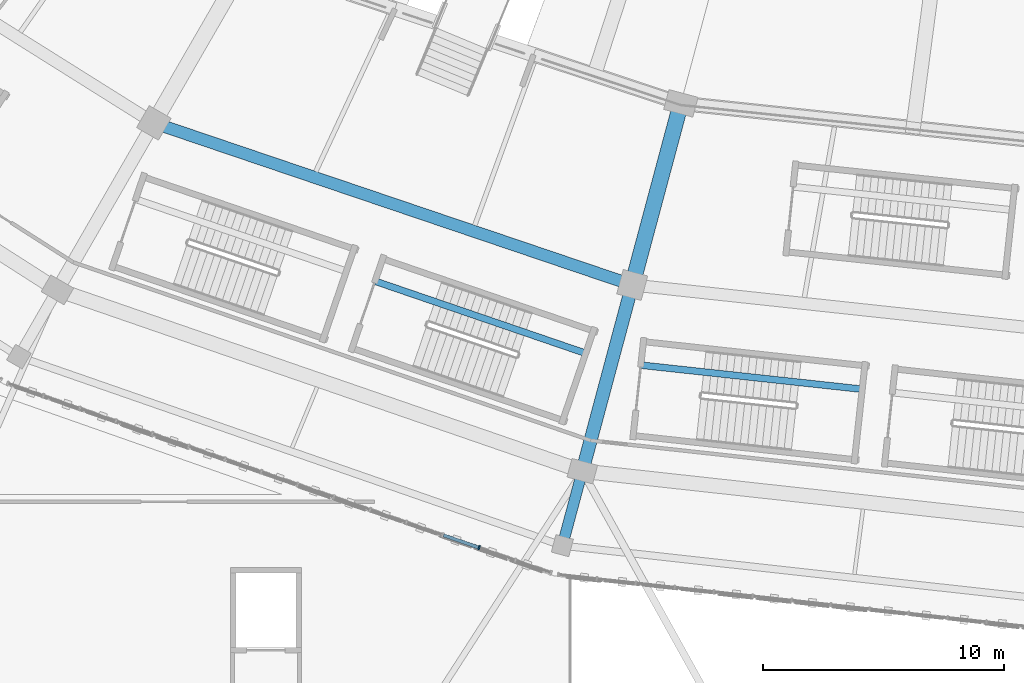
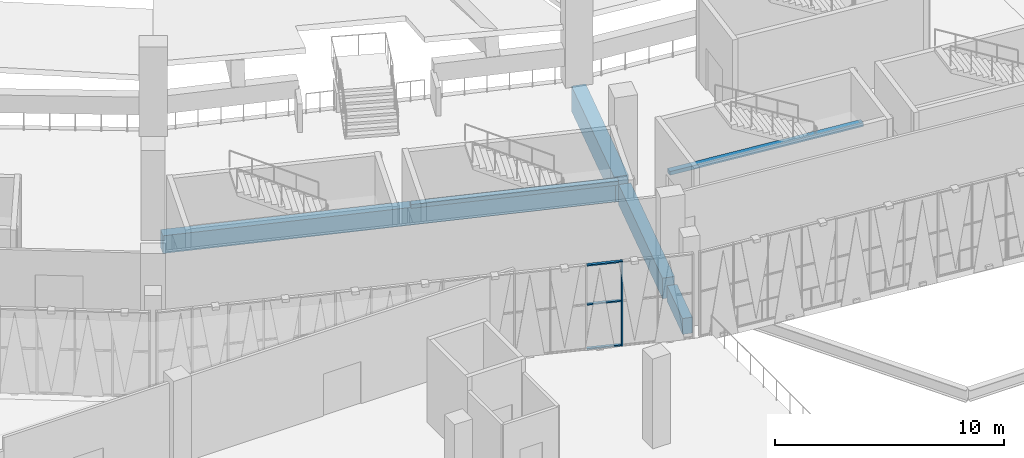
# One storey, part 15 of 183: 6 beams, 4 members, 1 element without a shape of its own.
"""IFC4 building model written with IfcOpenShell, lengths in metres."""

from ifc_helpers import new_model, si_unit, direction, frame, origin, origin_2d, place, context, subcontext, project, spatial, rectangle, extrude, material, material_profile, profile_set, type_object, element, aggregate, save


model = new_model("IFC4")

# Units and contexts
model_context = context("Model", 3, precision=1e-05, world=origin(), true_north=direction((0.0, 1.0)))
body_context = subcontext(model_context, "Body", "Model", "MODEL_VIEW")
ifc_project = project(units=[si_unit("LENGTHUNIT", "METRE"), si_unit("AREAUNIT", "SQUARE_METRE"), si_unit("VOLUMEUNIT", "CUBIC_METRE"), si_unit("PLANEANGLEUNIT", "RADIAN"), si_unit("MASSUNIT", "GRAM", prefix="KILO")], contexts=[model_context])

# Site, building, storey
site_placement = place(None, origin())
site = spatial("IfcSite", under=ifc_project, at=site_placement, CompositionType="ELEMENT")
building_placement = place(site_placement, origin())
building = spatial("IfcBuilding", under=site, at=building_placement, Name="Zevraka Park Crest Stadium", CompositionType="ELEMENT")
storey_placement = place(building_placement, frame((0.0, 0.0, 5.39990234375)))
storey = spatial("IfcBuildingStorey", under=building, at=storey_placement, Name="L01", CompositionType="ELEMENT", Elevation=5.39990234375)

# Beams
ifc_material_1 = material(Name="Concrete C40/50", Category="concrete")
ifc_material_profile_1 = material_profile(ifc_material_1, rectangle(XDim=0.64990234375, YDim=1.35009765625, at=origin_2d()), Name="RC 1350x650")
ifc_profile_set_1 = profile_set([ifc_material_profile_1], Name="Concrete C40/50")
beam_type_1 = type_object("IfcBeamType", Name="BG01", PredefinedType="BEAM", material=ifc_profile_set_1)
beam_1_placement = place(storey_placement, frame((92.639892578125, 34.237060546875, -0.684814453125), z_axis=(-0.258747385792, -0.965945024495, 0.0), x_axis=(0.965945024495, -0.258747385792, 0.0)))
element("IfcBeam", 1, at=beam_1_placement, inside=storey, type_object=beam_type_1, Name="Radial Girder BG01 L01-BC-17", PredefinedType="BEAM", context=body_context, shape_type="SweptSolid", body=[
    extrude(rectangle(XDim=0.64990234375, YDim=1.35009765625, at=origin_2d()), origin(), (0.0, 0.0, 1.0), 7.19921875),
])
ifc_material_2 = material(Name="Concrete C40/50", Category="concrete")
ifc_material_profile_2 = material_profile(ifc_material_2, rectangle(XDim=0.550048828125, YDim=1.10009765625, at=origin_2d()), Name="RC 1100x550")
ifc_profile_set_2 = profile_set([ifc_material_profile_2], Name="Concrete C40/50")
beam_type_2 = type_object("IfcBeamType", Name="BG02", PredefinedType="BEAM", material=ifc_profile_set_2)
beam_2_placement = place(storey_placement, frame((90.62109375, 26.702880859375, -0.559814453125), z_axis=(-0.258697599806, -0.965958359276, 0.0), x_axis=(0.965958359276, -0.258697599806, 0.0)))
element("IfcBeam", 2, at=beam_2_placement, inside=storey, type_object=beam_type_2, Name="Radial Girder BG02 L01-CD-17", PredefinedType="BEAM", context=body_context, shape_type="SweptSolid", body=[
    extrude(rectangle(XDim=0.550048828125, YDim=1.10009765625, at=origin_2d()), origin(), (0.0, 0.0, 1.0), 7.39892578125),
])
ifc_material_3 = material(Name="Concrete C40/50", Category="concrete")
ifc_material_profile_3 = material_profile(ifc_material_3, rectangle(XDim=0.449951171875, YDim=0.85009765625, at=origin_2d()), Name="RC 850x450")
ifc_profile_set_3 = profile_set([ifc_material_profile_3], Name="Concrete C40/50")
beam_type_3 = type_object("IfcBeamType", Name="BG03", PredefinedType="BEAM", material=ifc_profile_set_3)
beam_3_placement = place(storey_placement, frame((88.551025390625, 18.97607421875, -0.434814453125), z_axis=(-0.258919157159, -0.965898995784, 0.0), x_axis=(0.965898995784, -0.258919157159, 0.0)))
element("IfcBeam", 3, at=beam_3_placement, inside=storey, type_object=beam_type_3, Name="Radial Girder BG03 L01-DE-17", PredefinedType="BEAM", context=body_context, shape_type="SweptSolid", body=[
    extrude(rectangle(XDim=0.449951171875, YDim=0.85009765625, at=origin_2d()), origin(), (0.0, 0.0, 1.0), 2.599609375),
])

# Curtain wall, members
ifc_material_4 = material(Name="Anodised architectural aluminium and laminated safety glass", Category="aluminium")
curtain_wall_type = type_object("IfcCurtainWallType", Name="CW02", PredefinedType="NOTDEFINED", material=ifc_material_4)
curtain_wall_placement = place(storey_placement, origin())
curtain_wall = element("IfcCurtainWall", 4, at=curtain_wall_placement, inside=storey, type_object=curtain_wall_type, Name="Unitised Ring Curtain Wall CW02 L01-16", PredefinedType="NOTDEFINED")
ifc_material_5 = material(Name="Anodised architectural aluminium", Category="aluminium")
ifc_material_profile_4 = material_profile(ifc_material_5, rectangle(XDim=0.179931640625, YDim=0.06494140625, at=origin_2d()), Name="ALU MULLION 180x65")
ifc_profile_set_4 = profile_set([ifc_material_profile_4], Name="Anodised architectural aluminium")
member_type_1 = type_object("IfcMemberType", Name="CM02", PredefinedType="MULLION", material=ifc_profile_set_4)
member_1_placement = place(storey_placement, frame((84.3447265625, 16.091552734375, 0.0), z_axis=(0.0, 0.0, 1.0), x_axis=(0.329209289879, 0.944256979565, 0.0)))
member_1 = element("IfcMember", 5, at=member_1_placement, type_object=member_type_1, Name="CW02 mullion 14", PredefinedType="MULLION", context=body_context, shape_type="SweptSolid", body=[
    extrude(rectangle(XDim=0.179931640625, YDim=0.06494140625, at=origin_2d()), origin(), (0.0, 0.0, 1.0), 4.52001953125),
])
ifc_material_6 = material(Name="Anodised architectural aluminium", Category="aluminium")
ifc_material_profile_5 = material_profile(ifc_material_6, rectangle(XDim=0.139892578125, YDim=0.06494140625, at=origin_2d()), Name="ALU TRANSOM 140x65")
ifc_profile_set_5 = profile_set([ifc_material_profile_5], Name="Anodised architectural aluminium")
member_type_2 = type_object("IfcMemberType", Name="CT02", PredefinedType="USERDEFINED", material=ifc_profile_set_5)
member_2_placement = place(storey_placement, frame((82.868896484375, 16.606201171875, 0.03271484375), z_axis=(0.944255540278, -0.329213418097, 0.0), x_axis=(0.329213418097, 0.944255540278, 0.0)))
member_2 = element("IfcMember", 6, at=member_2_placement, type_object=member_type_2, Name="CW02 transom 13.1", ObjectType="TRANSOM", PredefinedType="USERDEFINED", context=body_context, shape_type="SweptSolid", body=[
    extrude(rectangle(XDim=0.139892578125, YDim=0.06494140625, at=origin_2d()), origin(), (0.0, 0.0, 1.0), 1.530517578125),
])
member_3_placement = place(storey_placement, frame((82.868896484375, 16.606201171875, 2.400146484375), z_axis=(0.944255540278, -0.329213418097, 0.0), x_axis=(0.329213418097, 0.944255540278, 0.0)))
member_3 = element("IfcMember", 7, at=member_3_placement, type_object=member_type_2, Name="CW02 transom 13.2", ObjectType="TRANSOM", PredefinedType="USERDEFINED", context=body_context, shape_type="SweptSolid", body=[
    extrude(rectangle(XDim=0.139892578125, YDim=0.06494140625, at=origin_2d()), origin(), (0.0, 0.0, 1.0), 1.530517578125),
])
member_4_placement = place(storey_placement, frame((82.868896484375, 16.606201171875, 4.487548828125), z_axis=(0.944255540278, -0.329213418097, 0.0), x_axis=(0.329213418097, 0.944255540278, 0.0)))
member_4 = element("IfcMember", 8, at=member_4_placement, type_object=member_type_2, Name="CW02 transom 13.3", ObjectType="TRANSOM", PredefinedType="USERDEFINED", context=body_context, shape_type="SweptSolid", body=[
    extrude(rectangle(XDim=0.139892578125, YDim=0.06494140625, at=origin_2d()), origin(), (0.0, 0.0, 1.0), 1.530517578125),
])
aggregate(curtain_wall, [member_1, member_2, member_3, member_4])

# Beams
ifc_material_7 = material(Name="Concrete C40/50", Category="concrete")
ifc_material_profile_6 = material_profile(ifc_material_7, rectangle(XDim=0.5, YDim=0.949951171875, at=origin_2d()), Name="RC 950x500")
ifc_profile_set_6 = profile_set([ifc_material_profile_6], Name="Concrete C40/50")
beam_type_4 = type_object("IfcBeamType", Name="RB02", PredefinedType="BEAM", material=ifc_profile_set_6)
beam_4_placement = place(storey_placement, frame((71.2099609375, 33.593994140625, -0.48486328125), z_axis=(0.947147952377, -0.320797064058, 0.0), x_axis=(0.320797064058, 0.947147952377, 0.0)))
element("IfcBeam", 9, at=beam_4_placement, inside=storey, type_object=beam_type_4, Name="Ring Beam RB02 L01-C-16", PredefinedType="BEAM", context=body_context, shape_type="SweptSolid", body=[
    extrude(rectangle(XDim=0.5, YDim=0.949951171875, at=origin_2d()), origin(), (0.0, 0.0, 1.0), 20.196533203125),
])
ifc_material_8 = material(Name="Concrete C40/50", Category="concrete")
ifc_material_profile_7 = material_profile(ifc_material_8, rectangle(XDim=0.280029296875, YDim=0.199951171875, at=origin_2d()), Name="RC 200x280")
ifc_profile_set_7 = profile_set([ifc_material_profile_7], Name="Concrete C40/50")
beam_type_5 = type_object("IfcBeamType", Name="SJ13", PredefinedType="JOIST", material=ifc_profile_set_7)
for number, where, z_axis, x_axis, name in (
    (10, (91.08203125, 23.6630859375, 2.300048828125), (0.994127809114, -0.108212287404, 0.0), (0.108212287404, 0.994127809114, 0.0), "Stair Upper-Flight Longitudinal Stringer SJ13 ST18-L01"),
    (11, (80.052001953125, 27.14111328125, 2.300048828125), (0.946062257195, -0.323984884697, 0.0), (0.323984884697, 0.946062257195, 0.0), "Stair Upper-Flight Longitudinal Stringer SJ13 ST29-L01"),
):
    element("IfcBeam", number, at=place(storey_placement, frame(where, z_axis=z_axis, x_axis=x_axis)), inside=storey, type_object=beam_type_5, Name=name, PredefinedType="JOIST", context=body_context, shape_type="SweptSolid", body=[
        extrude(rectangle(XDim=0.280029296875, YDim=0.199951171875, at=origin_2d()), origin(), (0.0, 0.0, 1.0), 9.25),
    ])

save(model, "model.ifc")
